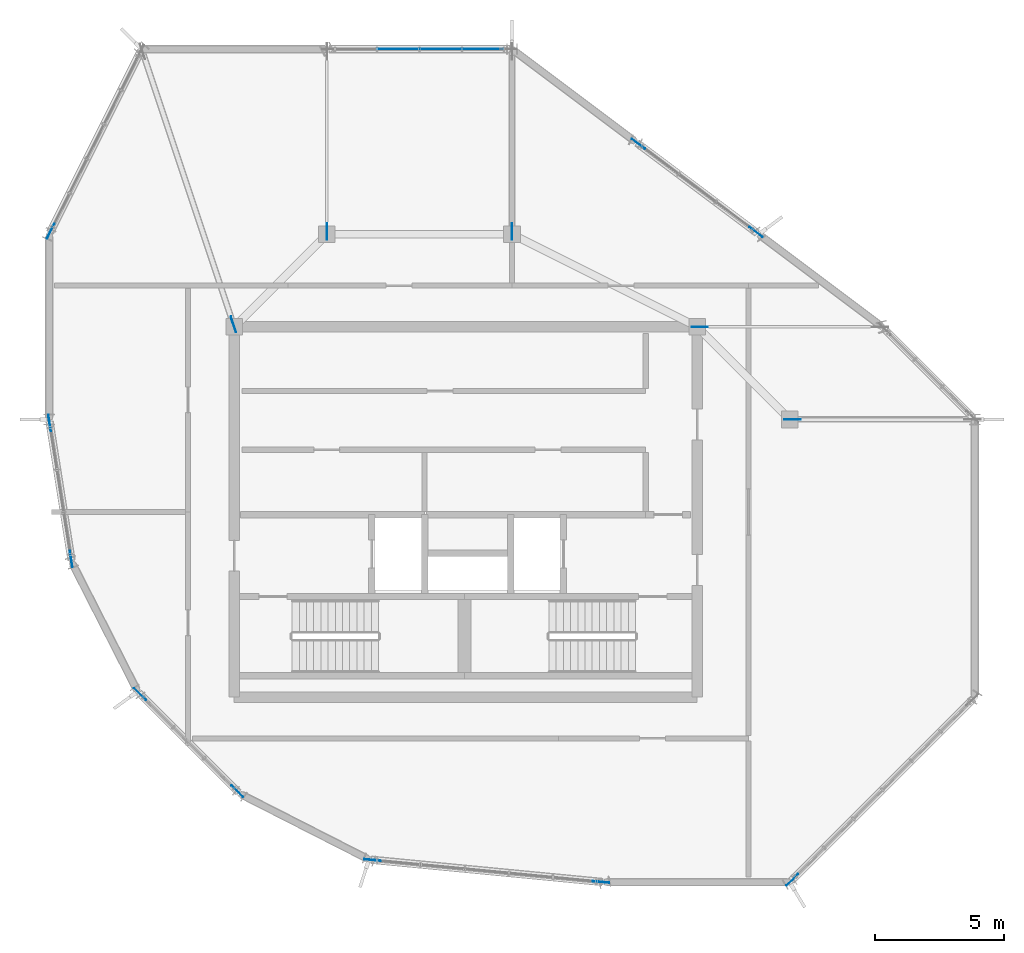
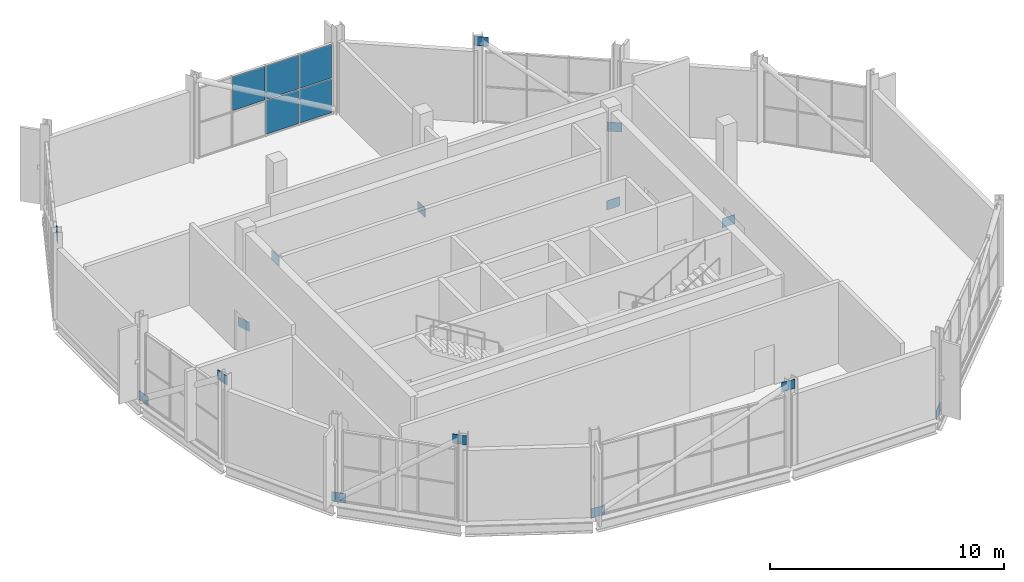
# One storey, part 17 of 22: 20 plates, 1 element without a shape of its own.
"""IFC4 building model written with IfcOpenShell, lengths in metres."""

from ifc_helpers import new_model, si_unit, direction, frame, origin, origin_2d, place, context, subcontext, project, spatial, rectangle, extrude, material, layer, layer_set, type_object, element, aggregate, save


model = new_model("IFC4")

# Units and contexts
model_context = context("Model", 3, precision=1e-05, world=origin(), true_north=direction((0.0, 1.0)))
body_context = subcontext(model_context, "Body", "Model", "MODEL_VIEW")
ifc_project = project(units=[si_unit("LENGTHUNIT", "METRE"), si_unit("AREAUNIT", "SQUARE_METRE"), si_unit("VOLUMEUNIT", "CUBIC_METRE"), si_unit("PLANEANGLEUNIT", "RADIAN"), si_unit("MASSUNIT", "GRAM", prefix="KILO")], contexts=[model_context])

# Site, building, storey
site_placement = place(None, origin())
site = spatial("IfcSite", under=ifc_project, at=site_placement, CompositionType="ELEMENT")
building_placement = place(site_placement, origin())
building = spatial("IfcBuilding", under=site, at=building_placement, Name="Solnavia Interchange Tower", CompositionType="ELEMENT")
storey_placement = place(building_placement, frame((0.0, 0.0, 317.699951171875)))
storey = spatial("IfcBuildingStorey", under=building, at=storey_placement, Name="C04", CompositionType="ELEMENT", Elevation=317.699951171875)

# Curtain wall, plates
ifc_material_1 = material(Name="Aluminium Alloy 6063-T6", Category="aluminium")
ifc_layer_1 = layer(ifc_material_1, 0.179931640625)
ifc_layer_set_1 = layer_set([ifc_layer_1], Name="Aluminium Alloy 6063-T6")
curtain_wall_type = type_object("IfcCurtainWallType", Name="CurtainWall-Crown-CTW6", PredefinedType="NOTDEFINED", material=ifc_layer_set_1)
curtain_wall_placement = place(storey_placement, origin())
curtain_wall = element("IfcCurtainWall", 1, at=curtain_wall_placement, inside=storey, type_object=curtain_wall_type, Name="CTW-C04-R05 CTW-6 curtain wall", PredefinedType="NOTDEFINED")
ifc_material_2 = material(Name="Double-Glazed Low-E IGU Glass", Category="glass")
ifc_layer_2 = layer(ifc_material_2, 0.030029296875)
ifc_layer_set_2 = layer_set([ifc_layer_2], Name="Double-Glazed Low-E IGU Glass")
plate_type_1 = type_object("IfcPlateType", Name="CW-Panel-Crown-30", PredefinedType="CURTAIN_PANEL", material=ifc_layer_set_2)
plate_1_placement = place(storey_placement, frame((24.068603515625, 36.0, 0.06005859375), z_axis=(0.0, 0.0, 1.0), x_axis=(-1.0, 0.0, 0.0)))
plate_1 = element("IfcPlate", 2, at=plate_1_placement, type_object=plate_type_1, Name="CTW-6 panel 1.1", PredefinedType="CURTAIN_PANEL", context=body_context, shape_type="SweptSolid", body=[
    extrude(rectangle(XDim=1.565673828125, YDim=0.030029296875, at=origin_2d()), origin(), (0.0, 0.0, 1.0), 1.75),
])
plate_2_placement = place(storey_placement, frame((24.068603515625, 36.0, 1.8701171875), z_axis=(0.0, 0.0, 1.0), x_axis=(-1.0, 0.0, 0.0)))
plate_2 = element("IfcPlate", 3, at=plate_2_placement, type_object=plate_type_1, Name="CTW-6 panel 1.2", PredefinedType="CURTAIN_PANEL", context=body_context, shape_type="SweptSolid", body=[
    extrude(rectangle(XDim=1.565673828125, YDim=0.030029296875, at=origin_2d()), origin(), (0.0, 0.0, 1.0), 1.75),
])
plate_3_placement = place(storey_placement, frame((22.427978515625, 36.0, 0.06005859375), z_axis=(0.0, 0.0, 1.0), x_axis=(-1.0, 0.0, 0.0)))
plate_3 = element("IfcPlate", 4, at=plate_3_placement, type_object=plate_type_1, Name="CTW-6 panel 2.1", PredefinedType="CURTAIN_PANEL", context=body_context, shape_type="SweptSolid", body=[
    extrude(rectangle(XDim=1.595703125, YDim=0.030029296875, at=origin_2d()), origin(), (0.0, 0.0, 1.0), 1.75),
])
plate_4_placement = place(storey_placement, frame((22.427978515625, 36.0, 1.8701171875), z_axis=(0.0, 0.0, 1.0), x_axis=(-1.0, 0.0, 0.0)))
plate_4 = element("IfcPlate", 5, at=plate_4_placement, type_object=plate_type_1, Name="CTW-6 panel 2.2", PredefinedType="CURTAIN_PANEL", context=body_context, shape_type="SweptSolid", body=[
    extrude(rectangle(XDim=1.595703125, YDim=0.030029296875, at=origin_2d()), origin(), (0.0, 0.0, 1.0), 1.75),
])
plate_5_placement = place(storey_placement, frame((20.772216796875, 36.0, 1.8701171875), z_axis=(0.0, 0.0, 1.0), x_axis=(-1.0, 0.0, 0.0)))
plate_5 = element("IfcPlate", 6, at=plate_5_placement, type_object=plate_type_1, Name="CTW-6 panel 3.2", PredefinedType="CURTAIN_PANEL", context=body_context, shape_type="SweptSolid", body=[
    extrude(rectangle(XDim=1.595703125, YDim=0.030029296875, at=origin_2d()), origin(), (0.0, 0.0, 1.0), 1.75),
])
aggregate(curtain_wall, [plate_1, plate_2, plate_3, plate_4, plate_5])

# Plates
ifc_material_3 = material(Name="Steel S460", Category="steel")
ifc_layer_3 = layer(ifc_material_3, 0.02490234375)
ifc_layer_set_3 = layer_set([ifc_layer_3], Name="Steel S460")
plate_type_2 = type_object("IfcPlateType", Name="Plate-Gusset-640x480x25", PredefinedType="USERDEFINED", material=ifc_layer_set_3)
for number, where, z_axis, x_axis, name in (
    (7, (34.68798828125, 28.884033203125, -0.06005859375), (0.0, 0.0, 1.0), (-0.799998928149, 0.600001429133, 0.0), "PLT-C04-GP03 Crown frame node gusset plate"),
    (8, (30.112060546875, 32.31591796875, 3.920166015625), (0.0, 0.0, 1.0), (-0.799998928149, 0.600001429133, 0.0), "PLT-C04-GP04 Crown frame node gusset plate"),
    (9, (7.2626953125, 28.92529296875, 3.920166015625), (0.0, 0.0, 1.0), (-0.447290848419, -0.89438856037, 0.0), "PLT-C04-GP08 Crown frame node gusset plate"),
    (10, (7.221923828125, 21.461669921875, -0.06005859375), (0.0, 0.0, 1.0), (0.15643446504, -0.987688340595, 0.0), "PLT-C04-GP09 Crown frame node gusset plate"),
    (11, (8.05908203125, 16.17626953125, 3.920166015625), (0.0, 0.0, 1.0), (0.15643446504, -0.987688340595, 0.0), "PLT-C04-GP10 Crown frame node gusset plate"),
    (12, (10.737060546875, 10.9208984375, -0.06005859375), (0.0, 0.0, 1.0), (0.707106781187, -0.707106781187, 0.0), "PLT-C04-GP11 Crown frame node gusset plate"),
    (13, (14.52099609375, 7.136962890625, 3.920166015625), (0.0, 0.0, 1.0), (0.707106781187, -0.707106781187, 0.0), "PLT-C04-GP12 Crown frame node gusset plate"),
    (14, (19.77734375, 4.467529296875, -0.06005859375), (0.0, 0.0, 1.0), (0.995412911446, -0.095672021651, 0.0), "PLT-C04-GP13 Crown frame node gusset plate"),
    (15, (28.66064453125, 3.61328125, 3.920166015625), (0.0, 0.0, 1.0), (0.995412911446, -0.095672021651, 0.0), "PLT-C04-GP14 Crown frame node gusset plate"),
    (16, (36.09912109375, 3.698974609375, -0.06005859375), (0.0, 0.0, 1.0), (0.707106781187, 0.707106781187, 0.0), "PLT-C04-GP15 Crown frame node gusset plate"),
    (17, (36.10009765625, 21.60009765625, -1.0400390625), (0.0, 0.0, 1.0), (1.0, 0.0, 0.0), "PLT-C04-GP17 Crown collar gusset plate"),
    (18, (32.5, 25.199951171875, -1.0400390625), (0.0, 0.0, 1.0), (1.0, 0.0, 0.0), "PLT-C04-GP19 Crown collar gusset plate"),
    (19, (25.199951171875, 28.89990234375, -1.0400390625), (0.0, 0.0, 1.0), (0.0, 1.0, 0.0), "PLT-C04-GP21 Crown collar gusset plate"),
    (20, (18.0, 28.89990234375, -1.0400390625), (0.0, 0.0, 1.0), (0.0, 1.0, 0.0), "PLT-C04-GP23 Crown collar gusset plate"),
    (21, (14.368408203125, 25.294921875, -1.0400390625), (0.0, 0.0, 1.0), (-0.316145823974, 0.948710608133, 0.0), "PLT-C04-GP25 Crown collar gusset plate"),
):
    element("IfcPlate", number, at=place(storey_placement, frame(where, z_axis=z_axis, x_axis=x_axis)), inside=storey, type_object=plate_type_2, Name=name, ObjectType="GUSSET PLATE", PredefinedType="USERDEFINED", context=body_context, shape_type="SweptSolid", body=[
        extrude(rectangle(XDim=0.639892578125, YDim=0.02490234375, at=origin_2d()), origin(), (0.0, 0.0, 1.0), 0.47998046875),
    ])

save(model, "model.ifc")
